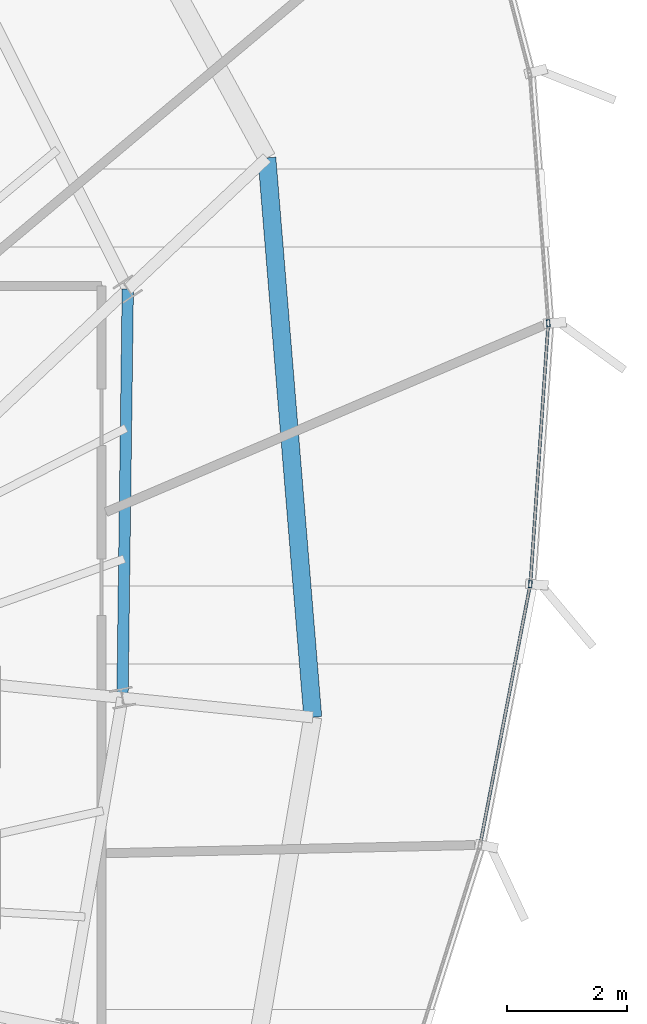
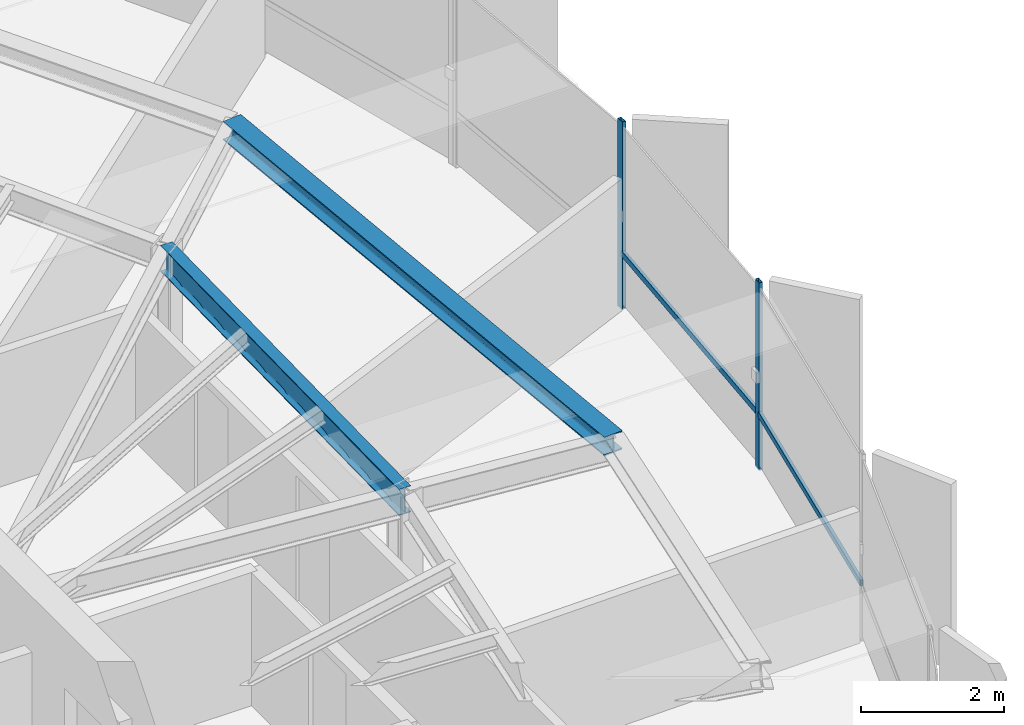
# One storey, part 16 of 32: 4 members, 2 beams, 1 element without a shape of its own.
"""IFC4 building model written with IfcOpenShell, lengths in metres."""

from ifc_helpers import new_model, si_unit, direction, frame, origin, origin_2d, place, context, subcontext, project, spatial, hollow_rectangle, i_section, extrude, source, transform, mapped, material, layer, layer_set, material_profile, profile_set, type_object, element, aggregate, save


model = new_model("IFC4")

# Units and contexts
model_context = context("Model", 3, precision=1e-05, world=origin(), true_north=direction((0.0, 1.0)))
body_context = subcontext(model_context, "Body", "Model", "MODEL_VIEW")
ifc_project = project(units=[si_unit("LENGTHUNIT", "METRE"), si_unit("AREAUNIT", "SQUARE_METRE"), si_unit("VOLUMEUNIT", "CUBIC_METRE"), si_unit("PLANEANGLEUNIT", "RADIAN"), si_unit("MASSUNIT", "GRAM", prefix="KILO"), si_unit("THERMODYNAMICTEMPERATUREUNIT", "KELVIN")], contexts=[model_context])

# Site, building, storey
site_placement = place(None, origin())
site = spatial("IfcSite", under=ifc_project, at=site_placement, CompositionType="ELEMENT")
building_placement = place(site_placement, origin())
building = spatial("IfcBuilding", under=site, at=building_placement, Name="Kethvar Cultural Tower", CompositionType="ELEMENT")
storey_placement = place(building_placement, frame((0.0, 0.0, 252.550048828125)))
storey = spatial("IfcBuildingStorey", under=building, at=storey_placement, Name="L66", CompositionType="ELEMENT", Elevation=252.550048828125)

# Beams
ifc_material_1 = material(Name="Steel S355J2", Category="steel")
ifc_material_profile_1 = material_profile(ifc_material_1, i_section(OverallWidth=0.18994140625, OverallDepth=0.449951171875, WebThickness=0.009521484375, FlangeThickness=0.0146484375, FilletRadius=0.02099609375, at=origin_2d()), Name="Steel S355J2 — IPE450")
ifc_profile_set_1 = profile_set([ifc_material_profile_1], Name="Steel S355J2 — IPE450")
beam_type_1 = type_object("IfcBeamType", Name="BM-IPE450", PredefinedType="BEAM", material=ifc_profile_set_1)
shared_shape_1 = source(origin(), body_context, "Body", "SweptSolid", [
    extrude(i_section(OverallWidth=0.18994140625, OverallDepth=0.449951171875, WebThickness=0.009521484375, FlangeThickness=0.0146484375, FilletRadius=0.02099609375, at=origin_2d()), origin(), (0.0, 0.0, 1.0), 6.834716796875),
])
beam_1_placement = place(storey_placement, frame((61.237060546875, 30.671630859375, 2.98291015625), z_axis=(0.012966437445, 0.999915932216, 0.0), x_axis=(-0.999915932216, 0.012966437445, 0.0)))
element("IfcBeam", 1, at=beam_1_placement, inside=storey, type_object=beam_type_1, Name="L66 Column Ring Tie Beam CR-01", PredefinedType="BEAM", context=body_context, shape_type="MappedRepresentation", body=[
    mapped(shared_shape_1, transform((0.0, 0.0, 0.0), scale=1.0)),
])
ifc_material_profile_2 = material_profile(ifc_material_1, i_section(OverallWidth=0.300048828125, OverallDepth=0.320068359375, WebThickness=0.011474609375, FlangeThickness=0.0205078125, FilletRadius=0.027099609375, at=origin_2d()), Name="Steel S355J2 — HEB320")
ifc_profile_set_2 = profile_set([ifc_material_profile_2], Name="Steel S355J2 — HEB320")
beam_type_2 = type_object("IfcBeamType", Name="BM-SP320", PredefinedType="SPANDREL", material=ifc_profile_set_2)
shared_shape_2 = source(origin(), body_context, "Body", "SweptSolid", [
    extrude(i_section(OverallWidth=0.300048828125, OverallDepth=0.320068359375, WebThickness=0.011474609375, FlangeThickness=0.0205078125, FilletRadius=0.027099609375, at=origin_2d()), origin(), (0.0, 0.0, 1.0), 9.388916015625),
])
beam_2_placement = place(storey_placement, frame((64.42041015625, 30.34521484375, 3.0478515625), z_axis=(-0.08178004371, 0.996650402323, 0.0), x_axis=(-0.996650402323, -0.08178004371, 0.0)))
element("IfcBeam", 2, at=beam_2_placement, inside=storey, type_object=beam_type_2, Name="L66 Perimeter Spandrel Beam SP-01", PredefinedType="SPANDREL", context=body_context, shape_type="MappedRepresentation", body=[
    mapped(shared_shape_2, transform((0.0, 0.0, 0.0), scale=1.0)),
])

# Curtain wall, members
ifc_material_2 = material(Name="Aluminium 6063-T6", Category="aluminium")
ifc_layer = layer(ifc_material_2, 0.179931640625, Name="Aluminium 6063-T6", Category="aluminium")
ifc_layer_set = layer_set([ifc_layer], Name="Aluminium 6063-T6 (180 mm)")
curtain_wall_type = type_object("IfcCurtainWallType", Name="CW-SYS-05-Z56", PredefinedType="NOTDEFINED", material=ifc_layer_set)
curtain_wall_placement = place(storey_placement, origin())
curtain_wall = element("IfcCurtainWall", 3, at=curtain_wall_placement, inside=storey, type_object=curtain_wall_type, Name="L66 Curtain Wall Run 06", PredefinedType="NOTDEFINED")
ifc_material_profile_3 = material_profile(ifc_material_2, hollow_rectangle(XDim=0.054931640625, YDim=0.1201171875, WallThickness=0.00390625, at=origin_2d()), Name="Aluminium 6063-T6 — RHS120x55x4")
ifc_profile_set_3 = profile_set([ifc_material_profile_3], Name="Aluminium 6063-T6 — RHS120x55x4")
member_type_1 = type_object("IfcMemberType", Name="CW-SYS-05-Z56-MUL", PredefinedType="MULLION", material=ifc_profile_set_3)
shared_shape_3 = source(origin(), body_context, "Body", "SweptSolid", [
    extrude(hollow_rectangle(XDim=0.054931640625, YDim=0.1201171875, WallThickness=0.00390625, at=origin_2d()), origin(), (0.0, 0.0, 1.0), 3.2099609375),
])
member_1_placement = place(storey_placement, frame((68.0595703125, 32.572509765625, 0.0), z_axis=(0.0, 0.0, 1.0), x_axis=(-0.997655701131, 0.0684331937, 0.0)))
member_1 = element("IfcMember", 4, at=member_1_placement, type_object=member_type_1, Name="CW-L66-R06 Mullion 5", PredefinedType="MULLION", context=body_context, shape_type="MappedRepresentation", body=[
    mapped(shared_shape_3, transform((0.0, 0.0, 0.0), scale=1.0)),
])
member_2_placement = place(storey_placement, frame((68.35986328125, 36.934814453125, 0.0), z_axis=(0.0, 0.0, 1.0), x_axis=(-0.997272129635, -0.073812596851, 0.0)))
member_2 = element("IfcMember", 5, at=member_2_placement, type_object=member_type_1, Name="CW-L66-R06 Mullion 6", PredefinedType="MULLION", context=body_context, shape_type="MappedRepresentation", body=[
    mapped(shared_shape_3, transform((0.0, 0.0, 0.0), scale=1.0)),
])
ifc_material_profile_4 = material_profile(ifc_material_2, hollow_rectangle(XDim=0.050048828125, YDim=0.10009765625, WallThickness=0.00390625, at=origin_2d()), Name="Aluminium 6063-T6 — RHS100x50x4")
ifc_profile_set_4 = profile_set([ifc_material_profile_4], Name="Aluminium 6063-T6 — RHS100x50x4")
member_type_2 = type_object("IfcMemberType", Name="CW-SYS-05-Z56-TRN", PredefinedType="USERDEFINED", material=ifc_profile_set_4)
shared_shape_4 = source(origin(), body_context, "Body", "SweptSolid", [
    extrude(hollow_rectangle(XDim=0.050048828125, YDim=0.10009765625, WallThickness=0.00390625, at=origin_2d()), origin(), (0.0, 0.0, 1.0), 4.375),
])
member_3_placement = place(storey_placement, frame((67.2265625, 28.24951171875, 0.949951171875), z_axis=(0.189060570997, 0.981965427342, 0.0), x_axis=(-0.981965427342, 0.189060570997, 0.0)))
member_3 = element("IfcMember", 6, at=member_3_placement, type_object=member_type_2, Name="CW-L66-R06 Transom 4", ObjectType="TRANSOM", PredefinedType="USERDEFINED", context=body_context, shape_type="MappedRepresentation", body=[
    mapped(shared_shape_4, transform((0.0, 0.0, 0.0), scale=1.0)),
])
shared_shape_5 = source(origin(), body_context, "Body", "SweptSolid", [
    extrude(hollow_rectangle(XDim=0.050048828125, YDim=0.10009765625, WallThickness=0.00390625, at=origin_2d()), origin(), (0.0, 0.0, 1.0), 4.307373046875),
])
member_4_placement = place(storey_placement, frame((68.062255859375, 32.612060546875, 0.949951171875), z_axis=(0.068411104409, 0.997657216079, 0.0), x_axis=(-0.997657216079, 0.068411104409, 0.0)))
member_4 = element("IfcMember", 7, at=member_4_placement, type_object=member_type_2, Name="CW-L66-R06 Transom 5", ObjectType="TRANSOM", PredefinedType="USERDEFINED", context=body_context, shape_type="MappedRepresentation", body=[
    mapped(shared_shape_5, transform((0.0, 0.0, 0.0), scale=1.0)),
])
aggregate(curtain_wall, [member_1, member_2, member_3, member_4])

save(model, "model.ifc")
